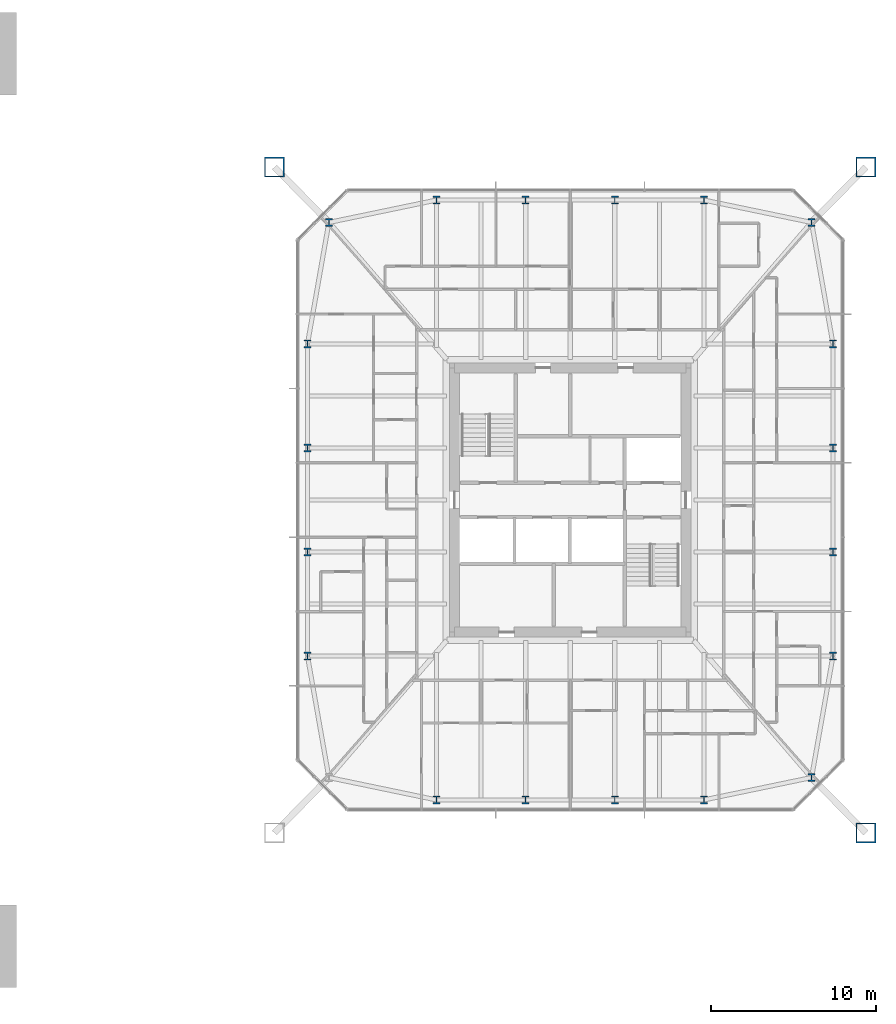
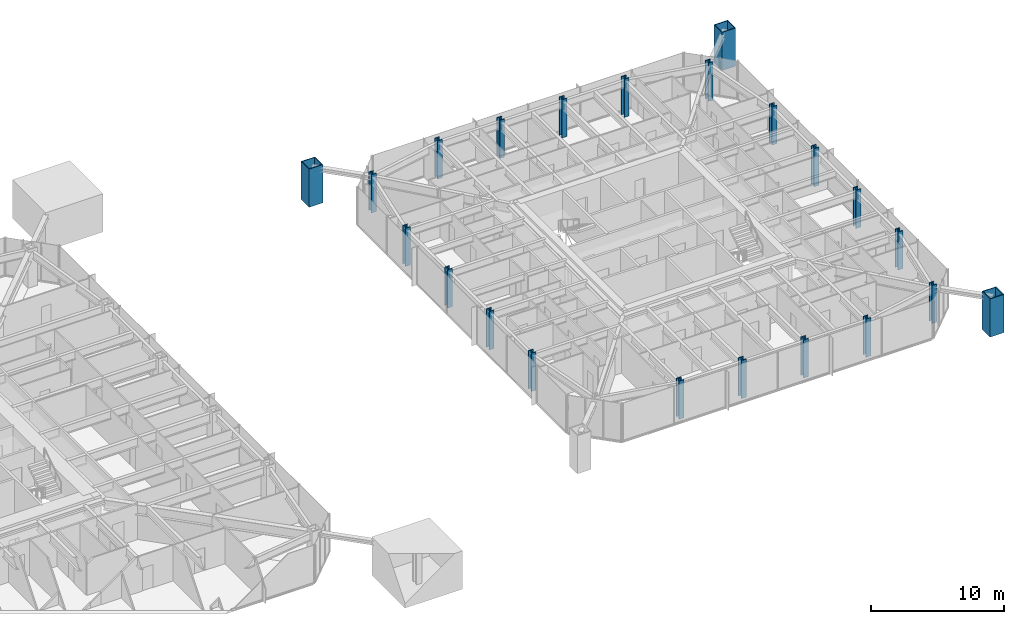
# One storey, part 2 of 26: 22 columns.
"""IFC4 building model written with IfcOpenShell, lengths in metres."""

from ifc_helpers import new_model, si_unit, direction, frame, origin, origin_2d, place, context, subcontext, project, spatial, hollow_rectangle, i_section, extrude, material, material_profile, profile_set, type_object, element, save


model = new_model("IFC4")

# Units and contexts
model_context = context("Model", 3, precision=1e-05, world=origin(), true_north=direction((0.0, 1.0)))
body_context = subcontext(model_context, "Body", "Model", "MODEL_VIEW")
ifc_project = project(units=[si_unit("LENGTHUNIT", "METRE"), si_unit("AREAUNIT", "SQUARE_METRE"), si_unit("VOLUMEUNIT", "CUBIC_METRE"), si_unit("PLANEANGLEUNIT", "RADIAN"), si_unit("MASSUNIT", "GRAM", prefix="KILO")], contexts=[model_context])

# Site, building, storey
site_placement = place(None, origin())
site = spatial("IfcSite", under=ifc_project, at=site_placement, CompositionType="ELEMENT")
building_placement = place(site_placement, origin())
building = spatial("IfcBuilding", under=site, at=building_placement, Name="Iwan Alto Co-Living Towers", CompositionType="ELEMENT")
storey_placement = place(building_placement, frame((0.0, 0.0, 60.5)))
storey = spatial("IfcBuildingStorey", under=building, at=storey_placement, Name="L16", CompositionType="ELEMENT", Elevation=60.5)

# Columns
ifc_material_1 = material(Name="Steel ASTM A572 Gr 50", Category="steel")
ifc_material_profile_1 = material_profile(ifc_material_1, hollow_rectangle(XDim=1.199951171875, YDim=1.199951171875, WallThickness=0.070068359375, at=origin_2d()), Name="BOX 1200X1200X70")
ifc_profile_set_1 = profile_set([ifc_material_profile_1], Name="Steel ASTM A572 Gr 50")
column_type_1 = type_object("IfcColumnType", Name="T2 MEGA COLUMN BOX 1200X1200X70", PredefinedType="COLUMN", material=ifc_profile_set_1)
for number, where, z_axis, x_axis, name in (
    (1, (80.89990234375, -20.14990234375, 0.0), (0.0, 0.0, 1.0), (1.0, 0.0, 0.0), "T2 mega column SE L16"),
    (2, (80.89990234375, 20.14990234375, 0.0), (0.0, 0.0, 1.0), (1.0, 0.0, 0.0), "T2 mega column NE L16"),
    (3, (45.10009765625, 20.14990234375, 0.0), (0.0, 0.0, 1.0), (1.0, 0.0, 0.0), "T2 mega column NW L16"),
):
    element("IfcColumn", number, at=place(storey_placement, frame(where, z_axis=z_axis, x_axis=x_axis)), inside=storey, type_object=column_type_1, Name=name, PredefinedType="COLUMN", context=body_context, shape_type="SweptSolid", body=[
        extrude(hollow_rectangle(XDim=1.199951171875, YDim=1.199951171875, WallThickness=0.070068359375, at=origin_2d()), origin(), (0.0, 0.0, 1.0), 3.5),
    ])
ifc_material_2 = material(Name="Steel ASTM A992 Gr 50", Category="steel")
ifc_material_profile_2 = material_profile(ifc_material_2, i_section(OverallWidth=0.424072265625, OverallDepth=0.47509765625, WebThickness=0.0478515625, FlangeThickness=0.0771484375, at=origin_2d()), Name="W14X426")
ifc_profile_set_2 = profile_set([ifc_material_profile_2], Name="Steel ASTM A992 Gr 50")
column_type_2 = type_object("IfcColumnType", Name="T2 RING COLUMN W14X426", PredefinedType="COLUMN", material=ifc_profile_set_2)
for number, where, z_axis, x_axis, name in (
    (4, (54.89990234375, -18.14990234375, 0.0), (0.0, 0.0, 1.0), (1.0, 0.0, 0.0), "T2 ring column S1 L16"),
    (5, (60.300048828125, -18.14990234375, 0.0), (0.0, 0.0, 1.0), (1.0, 0.0, 0.0), "T2 ring column S2 L16"),
    (6, (65.699951171875, -18.14990234375, 0.0), (0.0, 0.0, 1.0), (1.0, 0.0, 0.0), "T2 ring column S3 L16"),
    (7, (71.10009765625, -18.14990234375, 0.0), (0.0, 0.0, 1.0), (1.0, 0.0, 0.0), "T2 ring column S4 L16"),
    (8, (77.606201171875, -16.797119140625, 0.0), (0.0, 0.0, 1.0), (1.0, 0.0, 0.0), "T2 ring column CSE L16"),
    (9, (78.89990234375, -9.449951171875, 0.0), (0.0, 0.0, 1.0), (1.0, 0.0, 0.0), "T2 ring column E1 L16"),
    (10, (78.89990234375, -3.14990234375, 0.0), (0.0, 0.0, 1.0), (1.0, 0.0, 0.0), "T2 ring column E2 L16"),
    (11, (78.89990234375, 3.14990234375, 0.0), (0.0, 0.0, 1.0), (1.0, 0.0, 0.0), "T2 ring column E3 L16"),
    (12, (78.89990234375, 9.449951171875, 0.0), (0.0, 0.0, 1.0), (1.0, 0.0, 0.0), "T2 ring column E4 L16"),
    (13, (77.606201171875, 16.797119140625, 0.0), (0.0, 0.0, 1.0), (1.0, 0.0, 0.0), "T2 ring column CNE L16"),
    (14, (71.10009765625, 18.14990234375, 0.0), (0.0, 0.0, 1.0), (1.0, 0.0, 0.0), "T2 ring column N1 L16"),
    (15, (65.699951171875, 18.14990234375, 0.0), (0.0, 0.0, 1.0), (1.0, 0.0, 0.0), "T2 ring column N2 L16"),
    (16, (60.300048828125, 18.14990234375, 0.0), (0.0, 0.0, 1.0), (1.0, 0.0, 0.0), "T2 ring column N3 L16"),
    (17, (54.89990234375, 18.14990234375, 0.0), (0.0, 0.0, 1.0), (1.0, 0.0, 0.0), "T2 ring column N4 L16"),
    (18, (48.393798828125, 16.797119140625, 0.0), (0.0, 0.0, 1.0), (1.0, 0.0, 0.0), "T2 ring column CNW L16"),
    (19, (47.10009765625, 9.449951171875, 0.0), (0.0, 0.0, 1.0), (1.0, 0.0, 0.0), "T2 ring column W1 L16"),
    (20, (47.10009765625, 3.14990234375, 0.0), (0.0, 0.0, 1.0), (1.0, 0.0, 0.0), "T2 ring column W2 L16"),
    (21, (47.10009765625, -3.14990234375, 0.0), (0.0, 0.0, 1.0), (1.0, 0.0, 0.0), "T2 ring column W3 L16"),
    (22, (47.10009765625, -9.449951171875, 0.0), (0.0, 0.0, 1.0), (1.0, 0.0, 0.0), "T2 ring column W4 L16"),
):
    element("IfcColumn", number, at=place(storey_placement, frame(where, z_axis=z_axis, x_axis=x_axis)), inside=storey, type_object=column_type_2, Name=name, PredefinedType="COLUMN", context=body_context, shape_type="SweptSolid", body=[
        extrude(i_section(OverallWidth=0.424072265625, OverallDepth=0.47509765625, WebThickness=0.0478515625, FlangeThickness=0.0771484375, at=origin_2d()), origin(), (0.0, 0.0, 1.0), 3.5),
    ])

save(model, "model.ifc")
